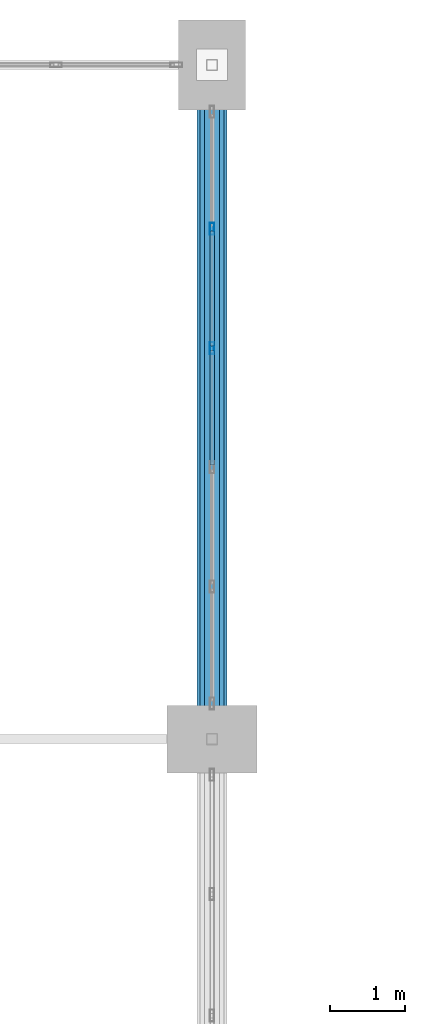
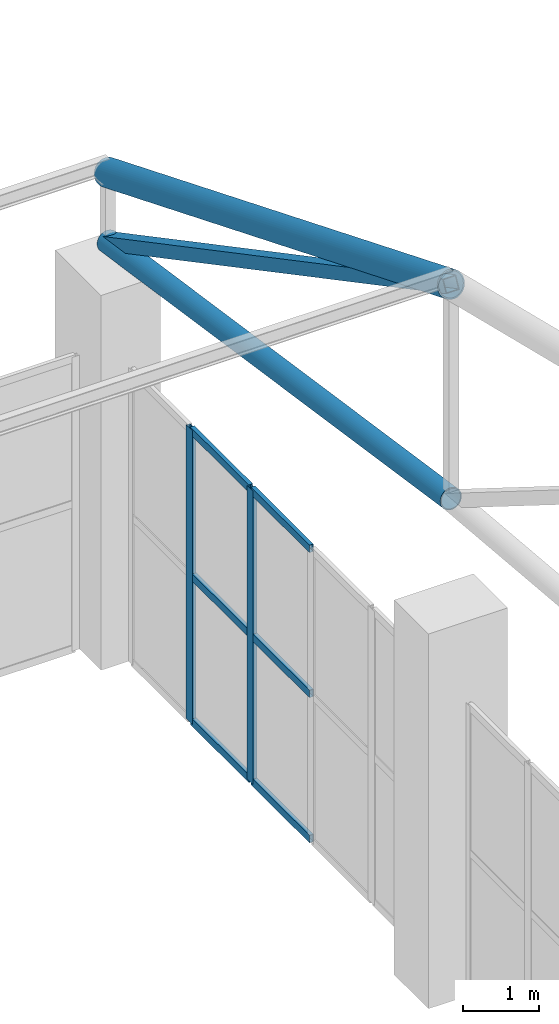
# One storey, part 157 of 223: 11 members, 1 element without a shape of its own.
"""IFC4 building model written with IfcOpenShell, lengths in metres."""

from ifc_helpers import new_model, si_unit, direction, frame, origin, origin_2d, place, context, subcontext, project, spatial, hollow_rectangle, hollow_circle, extrude, material, layer, layer_set, material_profile, profile_set, type_object, element, aggregate, save


model = new_model("IFC4")

# Units and contexts
model_context = context("Model", 3, precision=1e-05, world=origin(), true_north=direction((0.0, 1.0)))
body_context = subcontext(model_context, "Body", "Model", "MODEL_VIEW")
ifc_project = project(units=[si_unit("LENGTHUNIT", "METRE"), si_unit("AREAUNIT", "SQUARE_METRE"), si_unit("VOLUMEUNIT", "CUBIC_METRE"), si_unit("PLANEANGLEUNIT", "RADIAN"), si_unit("MASSUNIT", "GRAM", prefix="KILO")], contexts=[model_context])

# Site, building, storey
site_placement = place(None, origin())
site = spatial("IfcSite", under=ifc_project, at=site_placement, CompositionType="ELEMENT")
building_placement = place(site_placement, origin())
building = spatial("IfcBuilding", under=site, at=building_placement, Name="Dornveld Trade and Exhibition Forum", CompositionType="ELEMENT")
storey_placement = place(building_placement, frame((0.0, 0.0, 6.0)))
storey = spatial("IfcBuildingStorey", under=building, at=storey_placement, Name="L01", CompositionType="ELEMENT", Elevation=6.0)

# Curtain wall, members
ifc_material_1 = material(Name="Dark-bronze anodised aluminium and low-E glass", Category="aluminium")
ifc_layer = layer(ifc_material_1, 0.193115234375)
ifc_layer_set = layer_set([ifc_layer], Name="Dark-bronze anodised aluminium and low-E glass")
curtain_wall_type = type_object("IfcCurtainWallType", Name="CW-SYS-17", PredefinedType="USERDEFINED", material=ifc_layer_set)
curtain_wall_placement = place(storey_placement, origin())
curtain_wall = element("IfcCurtainWall", 1, at=curtain_wall_placement, inside=storey, type_object=curtain_wall_type, Name="L01 unitised curtain wall 17", ObjectType="UNITISED_CURTAIN_WALL", PredefinedType="USERDEFINED")
ifc_material_2 = material(Name="Dark-bronze anodised aluminium", Category="aluminium")
ifc_material_profile_1 = material_profile(ifc_material_2, hollow_rectangle(XDim=0.06005859375, YDim=0.159912109375, WallThickness=0.00390625, at=origin_2d()), Name="RHS 160x60x4")
ifc_profile_set_1 = profile_set([ifc_material_profile_1], Name="Dark-bronze anodised aluminium")
member_type_1 = type_object("IfcMemberType", Name="CW-MUL-160", PredefinedType="MULLION", material=ifc_profile_set_1)
member_1_placement = place(storey_placement, frame((171.0, 158.220703125, -0.00390625), z_axis=(0.0, 0.0, 1.0), x_axis=(-1.0, 0.0, 0.0)))
member_1 = element("IfcMember", 2, at=member_1_placement, type_object=member_type_1, Name="CW-17 mullion 4", PredefinedType="MULLION", context=body_context, shape_type="SweptSolid", body=[
    extrude(hollow_rectangle(XDim=0.06005859375, YDim=0.159912109375, WallThickness=0.00390625, at=origin_2d()), origin(), (0.0, 0.0, 1.0), 4.703857421875),
])
member_2_placement = place(storey_placement, frame((171.0, 159.8125, -0.00390625), z_axis=(0.0, 0.0, 1.0), x_axis=(-1.0, 0.0, 0.0)))
member_2 = element("IfcMember", 3, at=member_2_placement, type_object=member_type_1, Name="CW-17 mullion 5", PredefinedType="MULLION", context=body_context, shape_type="SweptSolid", body=[
    extrude(hollow_rectangle(XDim=0.06005859375, YDim=0.159912109375, WallThickness=0.00390625, at=origin_2d()), origin(), (0.0, 0.0, 1.0), 4.703857421875),
])
ifc_material_3 = material(Name="Dark-bronze anodised aluminium", Category="aluminium")
ifc_material_profile_2 = material_profile(ifc_material_3, hollow_rectangle(XDim=0.06005859375, YDim=0.1201171875, WallThickness=0.00390625, at=origin_2d()), Name="RHS 120x60x4")
ifc_profile_set_2 = profile_set([ifc_material_profile_2], Name="Dark-bronze anodised aluminium")
member_type_2 = type_object("IfcMemberType", Name="CW-TRN-120", PredefinedType="USERDEFINED", material=ifc_profile_set_2)
member_3_placement = place(storey_placement, frame((171.0, 156.6591796875, 0.02587890625), z_axis=(0.0, 1.0, 0.0), x_axis=(-1.0, 0.0, 0.0)))
member_3 = element("IfcMember", 4, at=member_3_placement, type_object=member_type_2, Name="CW-17 transom 3.1", ObjectType="TRANSOM", PredefinedType="USERDEFINED", context=body_context, shape_type="SweptSolid", body=[
    extrude(hollow_rectangle(XDim=0.06005859375, YDim=0.1201171875, WallThickness=0.00390625, at=origin_2d()), origin(), (0.0, 0.0, 1.0), 1.53173828125),
])
member_4_placement = place(storey_placement, frame((171.0, 156.6591796875, 2.347900390625), z_axis=(0.0, 1.0, 0.0), x_axis=(-1.0, 0.0, 0.0)))
member_4 = element("IfcMember", 5, at=member_4_placement, type_object=member_type_2, Name="CW-17 transom 3.2", ObjectType="TRANSOM", PredefinedType="USERDEFINED", context=body_context, shape_type="SweptSolid", body=[
    extrude(hollow_rectangle(XDim=0.06005859375, YDim=0.1201171875, WallThickness=0.00390625, at=origin_2d()), origin(), (0.0, 0.0, 1.0), 1.53173828125),
])
member_5_placement = place(storey_placement, frame((171.0, 156.6591796875, 4.669921875), z_axis=(0.0, 1.0, 0.0), x_axis=(-1.0, 0.0, 0.0)))
member_5 = element("IfcMember", 6, at=member_5_placement, type_object=member_type_2, Name="CW-17 transom 3.3", ObjectType="TRANSOM", PredefinedType="USERDEFINED", context=body_context, shape_type="SweptSolid", body=[
    extrude(hollow_rectangle(XDim=0.06005859375, YDim=0.1201171875, WallThickness=0.00390625, at=origin_2d()), origin(), (0.0, 0.0, 1.0), 1.53173828125),
])
member_6_placement = place(storey_placement, frame((171.0, 158.250732421875, 0.02587890625), z_axis=(0.0, 1.0, 0.0), x_axis=(-1.0, 0.0, 0.0)))
member_6 = element("IfcMember", 7, at=member_6_placement, type_object=member_type_2, Name="CW-17 transom 4.1", ObjectType="TRANSOM", PredefinedType="USERDEFINED", context=body_context, shape_type="SweptSolid", body=[
    extrude(hollow_rectangle(XDim=0.06005859375, YDim=0.1201171875, WallThickness=0.00390625, at=origin_2d()), origin(), (0.0, 0.0, 1.0), 1.53173828125),
])
member_7_placement = place(storey_placement, frame((171.0, 158.250732421875, 2.347900390625), z_axis=(0.0, 1.0, 0.0), x_axis=(-1.0, 0.0, 0.0)))
member_7 = element("IfcMember", 8, at=member_7_placement, type_object=member_type_2, Name="CW-17 transom 4.2", ObjectType="TRANSOM", PredefinedType="USERDEFINED", context=body_context, shape_type="SweptSolid", body=[
    extrude(hollow_rectangle(XDim=0.06005859375, YDim=0.1201171875, WallThickness=0.00390625, at=origin_2d()), origin(), (0.0, 0.0, 1.0), 1.53173828125),
])
member_8_placement = place(storey_placement, frame((171.0, 158.250732421875, 4.669921875), z_axis=(0.0, 1.0, 0.0), x_axis=(-1.0, 0.0, 0.0)))
member_8 = element("IfcMember", 9, at=member_8_placement, type_object=member_type_2, Name="CW-17 transom 4.3", ObjectType="TRANSOM", PredefinedType="USERDEFINED", context=body_context, shape_type="SweptSolid", body=[
    extrude(hollow_rectangle(XDim=0.06005859375, YDim=0.1201171875, WallThickness=0.00390625, at=origin_2d()), origin(), (0.0, 0.0, 1.0), 1.53173828125),
])
aggregate(curtain_wall, [member_1, member_2, member_3, member_4, member_5, member_6, member_7, member_8])

# Members
ifc_material_4 = material(Name="Steel S355J2", Category="steel")
ifc_material_profile_3 = material_profile(ifc_material_4, hollow_circle(Radius=0.161865234375, WallThickness=0.01611328125, at=origin_2d()), Name="CHS 323.9x16")
ifc_profile_set_3 = profile_set([ifc_material_profile_3], Name="Steel S355J2")
member_type_3 = type_object("IfcMemberType", Name="MEM-ARCH-BC", PredefinedType="CHORD", material=ifc_profile_set_3)
member_9_placement = place(storey_placement, frame((171.0, 153.0, 7.683349609375), z_axis=(0.0, 0.989204758987, -0.146539908551), x_axis=(-1.0, 0.0, 0.0)))
element("IfcMember", 10, at=member_9_placement, inside=storey, type_object=member_type_3, Name="H1 truss 9 tie chord 6", PredefinedType="CHORD", context=body_context, shape_type="SweptSolid", body=[
    extrude(hollow_circle(Radius=0.161865234375, WallThickness=0.01611328125, at=origin_2d()), origin(), (0.0, 0.0, 1.0), 9.09814453125),
])
ifc_material_5 = material(Name="Steel S355J2", Category="steel")
ifc_material_profile_4 = material_profile(ifc_material_5, hollow_circle(Radius=0.203125, WallThickness=0.02001953125, at=origin_2d()), Name="CHS 406.4x20")
ifc_profile_set_4 = profile_set([ifc_material_profile_4], Name="Steel S355J2")
member_type_4 = type_object("IfcMemberType", Name="MEM-ARCH-TC", PredefinedType="CHORD", material=ifc_profile_set_4)
member_10_placement = place(storey_placement, frame((171.0, 153.0, 11.11669921875), z_axis=(0.0, 0.926089433793, -0.377304069177), x_axis=(-1.0, 0.0, 0.0)))
element("IfcMember", 11, at=member_10_placement, inside=storey, type_object=member_type_4, Name="H1 truss 9 top chord 6", PredefinedType="CHORD", context=body_context, shape_type="SweptSolid", body=[
    extrude(hollow_circle(Radius=0.203125, WallThickness=0.02001953125, at=origin_2d()), origin(), (0.0, 0.0, 1.0), 9.71826171875),
])
ifc_material_6 = material(Name="Steel S355J2", Category="steel")
ifc_material_profile_5 = material_profile(ifc_material_6, hollow_rectangle(XDim=0.199951171875, YDim=0.199951171875, WallThickness=0.010009765625, at=origin_2d()), Name="SHS 200x200x10")
ifc_profile_set_5 = profile_set([ifc_material_profile_5], Name="Steel S355J2")
member_type_5 = type_object("IfcMemberType", Name="MEM-ARCH-WEB", PredefinedType="BRACE", material=ifc_profile_set_5)
member_11_placement = place(storey_placement, frame((171.0, 162.0, 6.35009765625), z_axis=(0.0, -0.883710934211, 0.468033102201), x_axis=(1.0, 0.0, 0.0)))
element("IfcMember", 12, at=member_11_placement, inside=storey, type_object=member_type_5, Name="H1 truss 9 web 6", PredefinedType="BRACE", context=body_context, shape_type="SweptSolid", body=[
    extrude(hollow_rectangle(XDim=0.199951171875, YDim=0.199951171875, WallThickness=0.010009765625, at=origin_2d()), origin(), (0.0, 0.0, 1.0), 10.184326171875),
])

save(model, "model.ifc")
